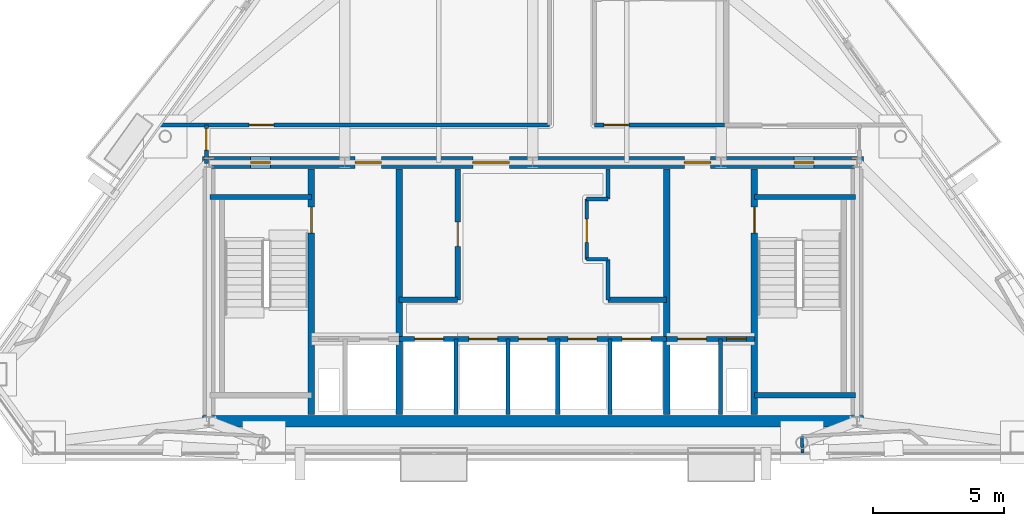
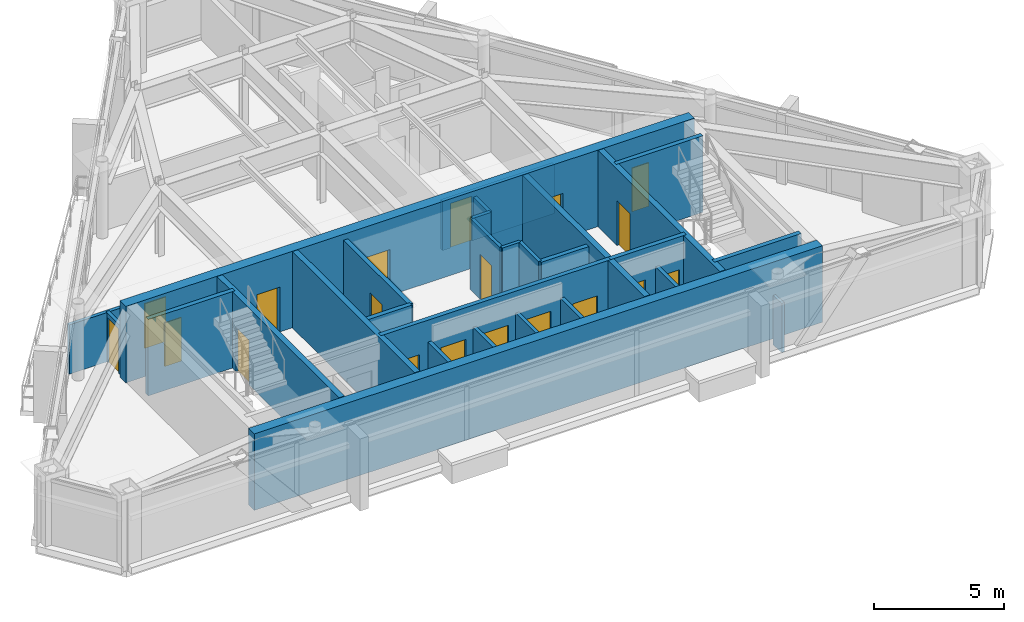
# One storey, part 8 of 11: 28 walls, 19 doors, 19 openings.
"""IFC4 building model written with IfcOpenShell, lengths in metres."""

from ifc_helpers import new_model, si_unit, direction, frame, frame_2d, origin, place, context, subcontext, project, spatial, rectangle, extrude, material, layer, layer_set, type_object, element, fill, save


model = new_model("IFC4")

# Units and contexts
model_context = context("Model", 3, precision=1e-05, world=origin(), true_north=direction((0.0, 1.0)))
body_context = subcontext(model_context, "Body", "Model", "MODEL_VIEW")
ifc_project = project(units=[si_unit("LENGTHUNIT", "METRE"), si_unit("AREAUNIT", "SQUARE_METRE"), si_unit("VOLUMEUNIT", "CUBIC_METRE"), si_unit("PLANEANGLEUNIT", "RADIAN"), si_unit("MASSUNIT", "GRAM", prefix="KILO")], contexts=[model_context])

# Site, building, storey
site_placement = place(None, origin())
site = spatial("IfcSite", under=ifc_project, at=site_placement, CompositionType="ELEMENT")
building_placement = place(site_placement, origin())
building = spatial("IfcBuilding", under=site, at=building_placement, Name="Talgorran Terracotta Tower", CompositionType="ELEMENT")
storey_placement = place(building_placement, frame((0.0, 0.0, 274.199951171875)))
storey = spatial("IfcBuildingStorey", under=building, at=storey_placement, Name="L72", CompositionType="ELEMENT", Elevation=274.199951171875)

# Walls
ifc_material_1 = material(Name="Concrete C50/60", Category="concrete")
ifc_layer_1 = layer(ifc_material_1, 0.199951171875, Name="WT_CORE_200")
ifc_layer_set_1 = layer_set([ifc_layer_1], Name="Concrete C50/60")
wall_type_1 = type_object("IfcWallType", Name="WT_CORE_200", PredefinedType="SOLIDWALL", material=ifc_layer_set_1)
for number, where, z_axis, x_axis, name in (
    (1, (-12.35009765625, -5.52001953125, 0.0), (0.0, 0.0, 1.0), (1.0, 0.0, 0.0), "WL-L72-CW-ST1-N"),
    (2, (8.47998046875, -5.52001953125, 0.0), (0.0, 0.0, 1.0), (1.0, 0.0, 0.0), "WL-L72-CW-ST2-N"),
    (3, (8.47998046875, -13.10009765625, 0.0), (0.0, 0.0, 1.0), (1.0, 0.0, 0.0), "WL-L72-CW-ST2-S"),
):
    element("IfcWall", number, at=place(storey_placement, frame(where, z_axis=z_axis, x_axis=x_axis)), inside=storey, type_object=wall_type_1, Name=name, PredefinedType="SOLIDWALL", context=body_context, shape_type="SweptSolid", body=[
        extrude(rectangle(XDim=3.8701171875, YDim=0.199951171875, at=frame_2d((1.93505859375, 0.0))), origin(), (0.0, 0.0, 1.0), 3.60009765625),
    ])

# Wall, openings, doors
wall_1_placement = place(storey_placement, frame((-5.1201171875, -10.949951171875, 0.0), z_axis=(0.0, 0.0, 1.0), x_axis=(1.0, 0.0, 0.0)))
wall_1 = element("IfcWall", 4, at=wall_1_placement, inside=storey, type_object=wall_type_1, Name="WL-L72-CW-H-SBC", PredefinedType="SOLIDWALL", context=body_context, shape_type="SweptSolid", body=[
    extrude(rectangle(XDim=10.240234375, YDim=0.199951171875, at=frame_2d((5.1201171875, 0.0))), origin(), (0.0, 0.0, 1.0), 3.60009765625),
])
opening_1_placement = place(wall_1_placement, frame((0.60009765625, 0.0, 0.0)))
opening_1 = element("IfcOpeningElement", 5, at=opening_1_placement, cuts=wall_1, Name="Opening LD-OB1", PredefinedType="OPENING", context=body_context, shape_type="SweptSolid", body=[
    extrude(rectangle(XDim=1.10609765625, YDim=2.10409765625, at=frame_2d((0.550048828125, 1.052001953125))), frame((0.0, 0.10986328125, 0.0), z_axis=(0.0, -1.0, 0.0), x_axis=(1.0, 0.0, 0.0)), (0.0, 0.0, 1.0), 0.219970703125),
])
opening_2_placement = place(wall_1_placement, frame((2.669921875, 0.0, 0.0)))
opening_2 = element("IfcOpeningElement", 6, at=opening_2_placement, cuts=wall_1, Name="Opening LD-PLH1", PredefinedType="OPENING", context=body_context, shape_type="SweptSolid", body=[
    extrude(rectangle(XDim=1.10609765625, YDim=2.10409765625, at=frame_2d((0.550048828125, 1.052001953125))), frame((0.0, 0.10986328125, 0.0), z_axis=(0.0, -1.0, 0.0), x_axis=(1.0, 0.0, 0.0)), (0.0, 0.0, 1.0), 0.219970703125),
])
opening_3_placement = place(wall_1_placement, frame((4.570068359375, 0.0, 0.0)))
opening_3 = element("IfcOpeningElement", 7, at=opening_3_placement, cuts=wall_1, Name="Opening LD-PLH2", PredefinedType="OPENING", context=body_context, shape_type="SweptSolid", body=[
    extrude(rectangle(XDim=1.10609765625, YDim=2.10409765625, at=frame_2d((0.550048828125, 1.052001953125))), frame((0.0, 0.10986328125, 0.0), z_axis=(0.0, -1.0, 0.0), x_axis=(1.0, 0.0, 0.0)), (0.0, 0.0, 1.0), 0.219970703125),
])
opening_4_placement = place(wall_1_placement, frame((6.469970703125, 0.0, 0.0)))
opening_4 = element("IfcOpeningElement", 8, at=opening_4_placement, cuts=wall_1, Name="Opening LD-PLH3", PredefinedType="OPENING", context=body_context, shape_type="SweptSolid", body=[
    extrude(rectangle(XDim=1.10609765625, YDim=2.10409765625, at=frame_2d((0.550048828125, 1.052001953125))), frame((0.0, 0.10986328125, 0.0), z_axis=(0.0, -1.0, 0.0), x_axis=(1.0, 0.0, 0.0)), (0.0, 0.0, 1.0), 0.219970703125),
])
opening_5_placement = place(wall_1_placement, frame((8.5400390625, 0.0, 0.0)))
opening_5 = element("IfcOpeningElement", 9, at=opening_5_placement, cuts=wall_1, Name="Opening LD-SVL1", PredefinedType="OPENING", context=body_context, shape_type="SweptSolid", body=[
    extrude(rectangle(XDim=1.10609765625, YDim=2.10409765625, at=frame_2d((0.550048828125, 1.052001953125))), frame((0.0, 0.10986328125, 0.0), z_axis=(0.0, -1.0, 0.0), x_axis=(1.0, 0.0, 0.0)), (0.0, 0.0, 1.0), 0.219970703125),
])
ifc_material_2 = material(Name="Brushed Stainless Steel Grade 304", Category="steel")
door_type_1 = type_object("IfcDoorType", Name="DT_LIFT_LD1100", OperationType="DOUBLE_DOOR_SLIDING", PredefinedType="DOOR", material=ifc_material_2)
door_1_placement = place(opening_1_placement, origin())
door_1 = element("IfcDoor", 10, at=door_1_placement, inside=storey, type_object=door_type_1, Name="L72 Lift Landing Door LD-OB1", OperationType="DOUBLE_DOOR_SLIDING", OverallHeight=2.10009765625, OverallWidth=1.10009765625, PredefinedType="DOOR", context=body_context, shape_type="SweptSolid", body=[
    extrude(rectangle(XDim=1.10009765625, YDim=2.10009765625, at=frame_2d((0.550048828125, 1.050048828125))), frame((0.0, 0.02490234375, 0.0), z_axis=(0.0, -1.0, 0.0), x_axis=(1.0, 0.0, 0.0)), (0.0, 0.0, 1.0), 0.050048828125),
])
fill(opening_1, door_1)
door_2_placement = place(opening_2_placement, origin())
door_2 = element("IfcDoor", 11, at=door_2_placement, inside=storey, type_object=door_type_1, Name="L72 Lift Landing Door LD-PLH1", OperationType="DOUBLE_DOOR_SLIDING", OverallHeight=2.10009765625, OverallWidth=1.10009765625, PredefinedType="DOOR", context=body_context, shape_type="SweptSolid", body=[
    extrude(rectangle(XDim=1.10009765625, YDim=2.10009765625, at=frame_2d((0.550048828125, 1.050048828125))), frame((0.0, 0.02490234375, 0.0), z_axis=(0.0, -1.0, 0.0), x_axis=(1.0, 0.0, 0.0)), (0.0, 0.0, 1.0), 0.050048828125),
])
fill(opening_2, door_2)
door_3_placement = place(opening_3_placement, origin())
door_3 = element("IfcDoor", 12, at=door_3_placement, inside=storey, type_object=door_type_1, Name="L72 Lift Landing Door LD-PLH2", OperationType="DOUBLE_DOOR_SLIDING", OverallHeight=2.10009765625, OverallWidth=1.10009765625, PredefinedType="DOOR", context=body_context, shape_type="SweptSolid", body=[
    extrude(rectangle(XDim=1.10009765625, YDim=2.10009765625, at=frame_2d((0.550048828125, 1.050048828125))), frame((0.0, 0.02490234375, 0.0), z_axis=(0.0, -1.0, 0.0), x_axis=(1.0, 0.0, 0.0)), (0.0, 0.0, 1.0), 0.050048828125),
])
fill(opening_3, door_3)
door_4_placement = place(opening_4_placement, origin())
door_4 = element("IfcDoor", 13, at=door_4_placement, inside=storey, type_object=door_type_1, Name="L72 Lift Landing Door LD-PLH3", OperationType="DOUBLE_DOOR_SLIDING", OverallHeight=2.10009765625, OverallWidth=1.10009765625, PredefinedType="DOOR", context=body_context, shape_type="SweptSolid", body=[
    extrude(rectangle(XDim=1.10009765625, YDim=2.10009765625, at=frame_2d((0.550048828125, 1.050048828125))), frame((0.0, 0.02490234375, 0.0), z_axis=(0.0, -1.0, 0.0), x_axis=(1.0, 0.0, 0.0)), (0.0, 0.0, 1.0), 0.050048828125),
])
fill(opening_4, door_4)
door_5_placement = place(opening_5_placement, origin())
door_5 = element("IfcDoor", 14, at=door_5_placement, inside=storey, type_object=door_type_1, Name="L72 Lift Landing Door LD-SVL1", OperationType="DOUBLE_DOOR_SLIDING", OverallHeight=2.10009765625, OverallWidth=1.10009765625, PredefinedType="DOOR", context=body_context, shape_type="SweptSolid", body=[
    extrude(rectangle(XDim=1.10009765625, YDim=2.10009765625, at=frame_2d((0.550048828125, 1.050048828125))), frame((0.0, 0.02490234375, 0.0), z_axis=(0.0, -1.0, 0.0), x_axis=(1.0, 0.0, 0.0)), (0.0, 0.0, 1.0), 0.050048828125),
])
fill(opening_5, door_5)

wall_2_placement = place(storey_placement, frame((5.1201171875, -10.949951171875, 0.0), z_axis=(0.0, 0.0, 1.0), x_axis=(1.0, 0.0, 0.0)))
wall_2 = element("IfcWall", 15, at=wall_2_placement, inside=storey, type_object=wall_type_1, Name="WL-L72-CW-H-SBE", PredefinedType="SOLIDWALL", context=body_context, shape_type="SweptSolid", body=[
    extrude(rectangle(XDim=3.35986328125, YDim=0.199951171875, at=frame_2d((1.679931640625, 0.0))), origin(), (0.0, 0.0, 1.0), 3.60009765625),
])
opening_6_placement = place(wall_2_placement, frame((0.419921875, 0.0, 0.0)))
opening_6 = element("IfcOpeningElement", 16, at=opening_6_placement, cuts=wall_2, Name="Opening LD-FFL2", PredefinedType="OPENING", context=body_context, shape_type="SweptSolid", body=[
    extrude(rectangle(XDim=1.10609765625, YDim=2.10409765625, at=frame_2d((0.550048828125, 1.052001953125))), frame((0.0, 0.10986328125, 0.0), z_axis=(0.0, -1.0, 0.0), x_axis=(1.0, 0.0, 0.0)), (0.0, 0.0, 1.0), 0.219970703125),
])
opening_7_placement = place(wall_2_placement, frame((2.300048828125, 0.0, 0.0)))
opening_7 = element("IfcOpeningElement", 17, at=opening_7_placement, cuts=wall_2, Name="Opening DR-RSE", PredefinedType="OPENING", context=body_context, shape_type="SweptSolid", body=[
    extrude(rectangle(XDim=0.756, YDim=2.054048828125, at=frame_2d((0.375, 1.027099609375))), frame((0.0, 0.10986328125, 0.0), z_axis=(0.0, -1.0, 0.0), x_axis=(1.0, 0.0, 0.0)), (0.0, 0.0, 1.0), 0.219970703125),
])
door_6_placement = place(opening_6_placement, origin())
door_6 = element("IfcDoor", 18, at=door_6_placement, inside=storey, type_object=door_type_1, Name="L72 Lift Landing Door LD-FFL2", OperationType="DOUBLE_DOOR_SLIDING", OverallHeight=2.10009765625, OverallWidth=1.10009765625, PredefinedType="DOOR", context=body_context, shape_type="SweptSolid", body=[
    extrude(rectangle(XDim=1.10009765625, YDim=2.10009765625, at=frame_2d((0.550048828125, 1.050048828125))), frame((0.0, 0.02490234375, 0.0), z_axis=(0.0, -1.0, 0.0), x_axis=(1.0, 0.0, 0.0)), (0.0, 0.0, 1.0), 0.050048828125),
])
fill(opening_6, door_6)
ifc_material_3 = material(Name="Fire-Rated Pressed Steel", Category="steel")
door_type_2 = type_object("IfcDoorType", Name="DT_RISER_750", OperationType="NOTDEFINED", PredefinedType="DOOR", material=ifc_material_3)
door_7_placement = place(opening_7_placement, origin())
door_7 = element("IfcDoor", 19, at=door_7_placement, inside=storey, type_object=door_type_2, Name="DR-RSE", OperationType="SINGLE_SWING_RIGHT", OverallHeight=2.050048828125, OverallWidth=0.75, PredefinedType="DOOR", context=body_context, shape_type="SweptSolid", body=[
    extrude(rectangle(XDim=0.75, YDim=2.050048828125, at=frame_2d((0.375, 1.02490234375))), frame((0.0, 0.02490234375, 0.0), z_axis=(0.0, -1.0, 0.0), x_axis=(1.0, 0.0, 0.0)), (0.0, 0.0, 1.0), 0.050048828125),
])
fill(opening_7, door_7)

# Wall, opening, door
wall_3_placement = place(storey_placement, frame((-2.8798828125, -9.449951171875, 0.0), z_axis=(0.0, 0.0, 1.0), x_axis=(0.0, 1.0, 0.0)))
wall_3 = element("IfcWall", 20, at=wall_3_placement, inside=storey, type_object=wall_type_1, Name="WL-L72-CW-V-W3", PredefinedType="SOLIDWALL", context=body_context, shape_type="SweptSolid", body=[
    extrude(rectangle(XDim=5.0, YDim=0.199951171875, at=frame_2d((2.5, 0.0))), origin(), (0.0, 0.0, 1.0), 3.344970703125),
])
opening_8_placement = place(wall_3_placement, frame((2.050048828125, 0.0, 0.0)))
opening_8 = element("IfcOpeningElement", 21, at=opening_8_placement, cuts=wall_3, Name="Opening DR-FRPLL-A", PredefinedType="OPENING", context=body_context, shape_type="SweptSolid", body=[
    extrude(rectangle(XDim=0.925921875, YDim=2.10409765625, at=frame_2d((0.4599609375, 1.052001953125))), frame((0.0, 0.10986328125, 0.0), z_axis=(0.0, -1.0, 0.0), x_axis=(1.0, 0.0, 0.0)), (0.0, 0.0, 1.0), 0.219970703125),
])
ifc_material_4 = material(Name="Solid-Core Painted Timber", Category="wood")
door_type_3 = type_object("IfcDoorType", Name="DT_INT_920", OperationType="NOTDEFINED", PredefinedType="DOOR", material=ifc_material_4)
door_8_placement = place(opening_8_placement, origin())
door_8 = element("IfcDoor", 22, at=door_8_placement, inside=storey, type_object=door_type_3, Name="DR-FRPLL-A", OperationType="SINGLE_SWING_LEFT", OverallHeight=2.10009765625, OverallWidth=0.919921875, PredefinedType="DOOR", context=body_context, shape_type="SweptSolid", body=[
    extrude(rectangle(XDim=0.919921875, YDim=2.10009765625, at=frame_2d((0.4599609375, 1.050048828125))), frame((0.0, 0.02490234375, 0.0), z_axis=(0.0, -1.0, 0.0), x_axis=(1.0, 0.0, 0.0)), (0.0, 0.0, 1.0), 0.050048828125),
])
fill(opening_8, door_8)

# Walls
for number, where, z_axis, x_axis, name in (
    (23, (-5.1201171875, -9.449951171875, 0.0), (0.0, 0.0, 1.0), (1.0, 0.0, 0.0), "WL-L72-CW-H-W4"),
    (24, (2.8798828125, -9.449951171875, 0.0), (0.0, 0.0, 1.0), (1.0, 0.0, 0.0), "WL-L72-CW-H-E4"),
):
    element("IfcWall", number, at=place(storey_placement, frame(where, z_axis=z_axis, x_axis=x_axis)), inside=storey, type_object=wall_type_1, Name=name, PredefinedType="SOLIDWALL", context=body_context, shape_type="SweptSolid", body=[
        extrude(rectangle(XDim=2.240234375, YDim=0.199951171875, at=frame_2d((1.1201171875, 0.0))), origin(), (0.0, 0.0, 1.0), 3.344970703125),
    ])

# Wall, opening, door
ifc_layer_2 = layer(ifc_material_1, 0.25, Name="WT_CORE_250")
ifc_layer_set_2 = layer_set([ifc_layer_2], Name="Concrete C50/60")
wall_type_2 = type_object("IfcWallType", Name="WT_CORE_250", PredefinedType="SHEAR", material=ifc_layer_set_2)
wall_4_placement = place(storey_placement, frame((-8.47998046875, -13.85009765625, 0.0), z_axis=(0.0, 0.0, 1.0), x_axis=(0.0, 1.0, 0.0)))
wall_4 = element("IfcWall", 25, at=wall_4_placement, inside=storey, type_object=wall_type_2, Name="WL-L72-CW-V-W1", PredefinedType="SHEAR", context=body_context, shape_type="SweptSolid", body=[
    extrude(rectangle(XDim=9.400146484375, YDim=0.25, at=frame_2d((4.7001953125, 0.0))), origin(), (0.0, 0.0, 1.0), 3.60009765625),
])
opening_9_placement = place(wall_4_placement, frame((6.949951171875, 0.0, 0.0)))
opening_9 = element("IfcOpeningElement", 26, at=opening_9_placement, cuts=wall_4, Name="Opening DR-ST01", PredefinedType="OPENING", context=body_context, shape_type="SweptSolid", body=[
    extrude(rectangle(XDim=1.006, YDim=2.10409765625, at=frame_2d((0.5, 1.052001953125))), frame((0.0, 0.135009765625, 0.0), z_axis=(0.0, -1.0, 0.0), x_axis=(1.0, 0.0, 0.0)), (0.0, 0.0, 1.0), 0.27001953125),
])
door_type_4 = type_object("IfcDoorType", Name="DT_FIRE_1000", OperationType="NOTDEFINED", PredefinedType="DOOR", material=ifc_material_3)
door_9_placement = place(opening_9_placement, origin())
door_9 = element("IfcDoor", 27, at=door_9_placement, inside=storey, type_object=door_type_4, Name="DR-ST01", OperationType="SINGLE_SWING_LEFT", OverallHeight=2.10009765625, OverallWidth=1.0, PredefinedType="DOOR", context=body_context, shape_type="SweptSolid", body=[
    extrude(rectangle(XDim=1.0, YDim=2.10009765625, at=frame_2d((0.5, 1.050048828125))), frame((0.0, 0.02490234375, 0.0), z_axis=(0.0, -1.0, 0.0), x_axis=(1.0, 0.0, 0.0)), (0.0, 0.0, 1.0), 0.050048828125),
])
fill(opening_9, door_9)

wall_5_placement = place(storey_placement, frame((8.47998046875, -13.85009765625, 0.0), z_axis=(0.0, 0.0, 1.0), x_axis=(0.0, 1.0, 0.0)))
wall_5 = element("IfcWall", 28, at=wall_5_placement, inside=storey, type_object=wall_type_2, Name="WL-L72-CW-V-E1", PredefinedType="SHEAR", context=body_context, shape_type="SweptSolid", body=[
    extrude(rectangle(XDim=9.400146484375, YDim=0.25, at=frame_2d((4.7001953125, 0.0))), origin(), (0.0, 0.0, 1.0), 3.60009765625),
])
opening_10_placement = place(wall_5_placement, frame((6.949951171875, 0.0, 0.0)))
opening_10 = element("IfcOpeningElement", 29, at=opening_10_placement, cuts=wall_5, Name="Opening DR-ST02", PredefinedType="OPENING", context=body_context, shape_type="SweptSolid", body=[
    extrude(rectangle(XDim=1.006, YDim=2.10409765625, at=frame_2d((0.5, 1.052001953125))), frame((0.0, 0.135009765625, 0.0), z_axis=(0.0, -1.0, 0.0), x_axis=(1.0, 0.0, 0.0)), (0.0, 0.0, 1.0), 0.27001953125),
])
door_10_placement = place(opening_10_placement, origin())
door_10 = element("IfcDoor", 30, at=door_10_placement, inside=storey, type_object=door_type_4, Name="DR-ST02", OperationType="SINGLE_SWING_RIGHT", OverallHeight=2.10009765625, OverallWidth=1.0, PredefinedType="DOOR", context=body_context, shape_type="SweptSolid", body=[
    extrude(rectangle(XDim=1.0, YDim=2.10009765625, at=frame_2d((0.5, 1.050048828125))), frame((0.0, 0.02490234375, 0.0), z_axis=(0.0, -1.0, 0.0), x_axis=(1.0, 0.0, 0.0)), (0.0, 0.0, 1.0), 0.050048828125),
])
fill(opening_10, door_10)

# Walls
for number, where, z_axis, x_axis, name in (
    (31, (-5.1201171875, -13.85009765625, 0.0), (0.0, 0.0, 1.0), (0.0, 1.0, 0.0), "WL-L72-CW-V-W2"),
    (32, (5.1201171875, -13.85009765625, 0.0), (0.0, 0.0, 1.0), (0.0, 1.0, 0.0), "WL-L72-CW-V-E2"),
):
    element("IfcWall", number, at=place(storey_placement, frame(where, z_axis=z_axis, x_axis=x_axis)), inside=storey, type_object=wall_type_2, Name=name, PredefinedType="SHEAR", context=body_context, shape_type="SweptSolid", body=[
        extrude(rectangle(XDim=9.400146484375, YDim=0.25, at=frame_2d((4.7001953125, 0.0))), origin(), (0.0, 0.0, 1.0), 3.60009765625),
    ])
ifc_material_5 = material(Name="Concrete C65/80", Category="concrete")
ifc_layer_3 = layer(ifc_material_5, 0.449951171875, Name="WT_CORE_EXT")
ifc_layer_set_3 = layer_set([ifc_layer_3], Name="Concrete C65/80")
wall_type_3 = type_object("IfcWallType", Name="WT_CORE_EXT", PredefinedType="SHEAR", material=ifc_layer_set_3)
wall_6_placement = place(storey_placement, frame((-12.64990234375, -14.10009765625, 0.0), z_axis=(0.0, 0.0, 1.0), x_axis=(1.0, 0.0, 0.0)))
element("IfcWall", 33, at=wall_6_placement, inside=storey, type_object=wall_type_3, Name="WL-L72-CW-OUT-S", PredefinedType="SHEAR", context=body_context, shape_type="SweptSolid", body=[
    extrude(rectangle(XDim=25.2998046875, YDim=0.449951171875, at=frame_2d((12.64990234375, 0.0))), origin(), (0.0, 0.0, 1.0), 3.60009765625),
])

# Wall, openings, doors
wall_7_placement = place(storey_placement, frame((-12.64990234375, -4.199951171875, 0.0), z_axis=(0.0, 0.0, 1.0), x_axis=(1.0, 0.0, 0.0)))
wall_7 = element("IfcWall", 34, at=wall_7_placement, inside=storey, type_object=wall_type_3, Name="WL-L72-CW-OUT-N", PredefinedType="SHEAR", context=body_context, shape_type="SweptSolid", body=[
    extrude(rectangle(XDim=25.2998046875, YDim=0.449951171875, at=frame_2d((12.64990234375, 0.0))), origin(), (0.0, 0.0, 1.0), 3.60009765625),
])
opening_11_placement = place(wall_7_placement, frame((1.85009765625, 0.0, 0.0)))
opening_11 = element("IfcOpeningElement", 35, at=opening_11_placement, cuts=wall_7, Name="Opening DR-CSN1", PredefinedType="OPENING", context=body_context, shape_type="SweptSolid", body=[
    extrude(rectangle(XDim=0.756, YDim=2.054048828125, at=frame_2d((0.375, 1.027099609375))), frame((0.0, 0.23486328125, 0.0), z_axis=(0.0, -1.0, 0.0), x_axis=(1.0, 0.0, 0.0)), (0.0, 0.0, 1.0), 0.469970703125),
])
opening_12_placement = place(wall_7_placement, frame((22.64990234375, 0.0, 0.0)))
opening_12 = element("IfcOpeningElement", 36, at=opening_12_placement, cuts=wall_7, Name="Opening DR-CSN2", PredefinedType="OPENING", context=body_context, shape_type="SweptSolid", body=[
    extrude(rectangle(XDim=0.756, YDim=2.054048828125, at=frame_2d((0.375, 1.027099609375))), frame((0.0, 0.23486328125, 0.0), z_axis=(0.0, -1.0, 0.0), x_axis=(1.0, 0.0, 0.0)), (0.0, 0.0, 1.0), 0.469970703125),
])
opening_13_placement = place(wall_7_placement, frame((5.85009765625, 0.0, 0.0)))
opening_13 = element("IfcOpeningElement", 37, at=opening_13_placement, cuts=wall_7, Name="Opening DR-FFLW-N", PredefinedType="OPENING", context=body_context, shape_type="SweptSolid", body=[
    extrude(rectangle(XDim=1.006, YDim=2.10409765625, at=frame_2d((0.5, 1.052001953125))), frame((0.0, 0.23486328125, 0.0), z_axis=(0.0, -1.0, 0.0), x_axis=(1.0, 0.0, 0.0)), (0.0, 0.0, 1.0), 0.469970703125),
])
opening_14_placement = place(wall_7_placement, frame((10.35009765625, 0.0, 0.0)))
opening_14 = element("IfcOpeningElement", 38, at=opening_14_placement, cuts=wall_7, Name="Opening DR-PLL-N", PredefinedType="OPENING", context=body_context, shape_type="SweptSolid", body=[
    extrude(rectangle(XDim=1.40590234375, YDim=2.15390234375, at=frame_2d((0.699951171875, 1.076904296875))), frame((0.0, 0.23486328125, 0.0), z_axis=(0.0, -1.0, 0.0), x_axis=(1.0, 0.0, 0.0)), (0.0, 0.0, 1.0), 0.469970703125),
])
opening_15_placement = place(wall_7_placement, frame((18.449951171875, 0.0, 0.0)))
opening_15 = element("IfcOpeningElement", 39, at=opening_15_placement, cuts=wall_7, Name="Opening DR-FFLE-N", PredefinedType="OPENING", context=body_context, shape_type="SweptSolid", body=[
    extrude(rectangle(XDim=1.006, YDim=2.10409765625, at=frame_2d((0.5, 1.052001953125))), frame((0.0, 0.23486328125, 0.0), z_axis=(0.0, -1.0, 0.0), x_axis=(1.0, 0.0, 0.0)), (0.0, 0.0, 1.0), 0.469970703125),
])
ifc_material_6 = material(Name="Acoustic Glazed Timber", Category="wood")
door_type_5 = type_object("IfcDoorType", Name="DT_DOUBLE_1400", OperationType="DOUBLE_DOOR_SINGLE_SWING", PredefinedType="DOOR", material=ifc_material_6)
door_11_placement = place(opening_14_placement, origin())
door_11 = element("IfcDoor", 40, at=door_11_placement, inside=storey, type_object=door_type_5, Name="DR-PLL-N", OperationType="DOUBLE_DOOR_SINGLE_SWING", OverallHeight=2.14990234375, OverallWidth=1.39990234375, PredefinedType="DOOR", context=body_context, shape_type="SweptSolid", body=[
    extrude(rectangle(XDim=1.39990234375, YDim=2.14990234375, at=frame_2d((0.699951171875, 1.074951171875))), frame((0.0, 0.02490234375, 0.0), z_axis=(0.0, -1.0, 0.0), x_axis=(1.0, 0.0, 0.0)), (0.0, 0.0, 1.0), 0.050048828125),
])
fill(opening_14, door_11)
door_12_placement = place(opening_13_placement, origin())
door_12 = element("IfcDoor", 41, at=door_12_placement, inside=storey, type_object=door_type_4, Name="DR-FFLW-N", OperationType="SINGLE_SWING_LEFT", OverallHeight=2.10009765625, OverallWidth=1.0, PredefinedType="DOOR", context=body_context, shape_type="SweptSolid", body=[
    extrude(rectangle(XDim=1.0, YDim=2.10009765625, at=frame_2d((0.5, 1.050048828125))), frame((0.0, 0.02490234375, 0.0), z_axis=(0.0, -1.0, 0.0), x_axis=(1.0, 0.0, 0.0)), (0.0, 0.0, 1.0), 0.050048828125),
])
fill(opening_13, door_12)
door_13_placement = place(opening_15_placement, origin())
door_13 = element("IfcDoor", 42, at=door_13_placement, inside=storey, type_object=door_type_4, Name="DR-FFLE-N", OperationType="SINGLE_SWING_RIGHT", OverallHeight=2.10009765625, OverallWidth=1.0, PredefinedType="DOOR", context=body_context, shape_type="SweptSolid", body=[
    extrude(rectangle(XDim=1.0, YDim=2.10009765625, at=frame_2d((0.5, 1.050048828125))), frame((0.0, 0.02490234375, 0.0), z_axis=(0.0, -1.0, 0.0), x_axis=(1.0, 0.0, 0.0)), (0.0, 0.0, 1.0), 0.050048828125),
])
fill(opening_15, door_13)
door_14_placement = place(opening_11_placement, origin())
door_14 = element("IfcDoor", 43, at=door_14_placement, inside=storey, type_object=door_type_2, Name="DR-CSN1", OperationType="SINGLE_SWING_LEFT", OverallHeight=2.050048828125, OverallWidth=0.75, PredefinedType="DOOR", context=body_context, shape_type="SweptSolid", body=[
    extrude(rectangle(XDim=0.75, YDim=2.050048828125, at=frame_2d((0.375, 1.02490234375))), frame((0.0, 0.02490234375, 0.0), z_axis=(0.0, -1.0, 0.0), x_axis=(1.0, 0.0, 0.0)), (0.0, 0.0, 1.0), 0.050048828125),
])
fill(opening_11, door_14)
door_15_placement = place(opening_12_placement, origin())
door_15 = element("IfcDoor", 44, at=door_15_placement, inside=storey, type_object=door_type_2, Name="DR-CSN2", OperationType="SINGLE_SWING_RIGHT", OverallHeight=2.050048828125, OverallWidth=0.75, PredefinedType="DOOR", context=body_context, shape_type="SweptSolid", body=[
    extrude(rectangle(XDim=0.75, YDim=2.050048828125, at=frame_2d((0.375, 1.02490234375))), frame((0.0, 0.02490234375, 0.0), z_axis=(0.0, -1.0, 0.0), x_axis=(1.0, 0.0, 0.0)), (0.0, 0.0, 1.0), 0.050048828125),
])
fill(opening_12, door_15)

# Walls
ifc_material_7 = material(Name="Fire-Rated Steel Stud Plasterboard", Category="steel")
ifc_layer_4 = layer(ifc_material_7, 0.14990234375, Name="WT_FIRE_150")
ifc_layer_set_4 = layer_set([ifc_layer_4], Name="Fire-Rated Steel Stud Plasterboard")
wall_type_4 = type_object("IfcWallType", Name="WT_FIRE_150", PredefinedType="PARTITIONING", material=ifc_layer_set_4)
wall_8_placement = place(storey_placement, frame((2.8798828125, -9.449951171875, 0.0), z_axis=(0.0, 0.0, 1.0), x_axis=(0.0, 1.0, 0.0)))
element("IfcWall", 45, at=wall_8_placement, inside=storey, type_object=wall_type_4, Name="WL-L72-CW-V-E3A", PredefinedType="PARTITIONING", context=body_context, shape_type="SweptSolid", body=[
    extrude(rectangle(XDim=1.550048828125, YDim=0.14990234375, at=frame_2d((0.77490234375, 0.0))), origin(), (0.0, 0.0, 1.0), 3.344970703125),
])
wall_9_placement = place(storey_placement, frame((2.06005859375, -7.89990234375, 0.0), z_axis=(0.0, 0.0, 1.0), x_axis=(1.0, 0.0, 0.0)))
element("IfcWall", 46, at=wall_9_placement, inside=storey, type_object=wall_type_4, Name="WL-L72-CW-H-E3B", PredefinedType="PARTITIONING", context=body_context, shape_type="SweptSolid", body=[
    extrude(rectangle(XDim=0.81982421875, YDim=0.14990234375, at=frame_2d((0.409912109375, 0.0))), origin(), (0.0, 0.0, 1.0), 3.344970703125),
])

# Wall, opening, door
wall_10_placement = place(storey_placement, frame((2.06005859375, -7.89990234375, 0.0), z_axis=(0.0, 0.0, 1.0), x_axis=(0.0, 1.0, 0.0)))
wall_10 = element("IfcWall", 47, at=wall_10_placement, inside=storey, type_object=wall_type_4, Name="WL-L72-CW-V-E3C", PredefinedType="PARTITIONING", context=body_context, shape_type="SweptSolid", body=[
    extrude(rectangle(XDim=2.2998046875, YDim=0.14990234375, at=frame_2d((1.14990234375, 0.0))), origin(), (0.0, 0.0, 1.0), 3.344970703125),
])
opening_16_placement = place(wall_10_placement, frame((0.64990234375, 0.0, 0.0)))
opening_16 = element("IfcOpeningElement", 48, at=opening_16_placement, cuts=wall_10, Name="Opening DR-FRPLM-B", PredefinedType="OPENING", context=body_context, shape_type="SweptSolid", body=[
    extrude(rectangle(XDim=0.8858828125, YDim=2.10409765625, at=frame_2d((0.43994140625, 1.052001953125))), frame((0.0, 0.0849609375, 0.0), z_axis=(0.0, -1.0, 0.0), x_axis=(1.0, 0.0, 0.0)), (0.0, 0.0, 1.0), 0.169921875),
])
door_type_6 = type_object("IfcDoorType", Name="DT_INT_880", OperationType="NOTDEFINED", PredefinedType="DOOR", material=ifc_material_4)
door_16_placement = place(opening_16_placement, origin())
door_16 = element("IfcDoor", 49, at=door_16_placement, inside=storey, type_object=door_type_6, Name="DR-FRPLM-B", OperationType="SINGLE_SWING_RIGHT", OverallHeight=2.10009765625, OverallWidth=0.8798828125, PredefinedType="DOOR", context=body_context, shape_type="SweptSolid", body=[
    extrude(rectangle(XDim=0.8798828125, YDim=2.10009765625, at=frame_2d((0.43994140625, 1.050048828125))), frame((0.0, 0.02490234375, 0.0), z_axis=(0.0, -1.0, 0.0), x_axis=(1.0, 0.0, 0.0)), (0.0, 0.0, 1.0), 0.050048828125),
])
fill(opening_16, door_16)

# Walls
wall_11_placement = place(storey_placement, frame((2.06005859375, -5.60009765625, 0.0), z_axis=(0.0, 0.0, 1.0), x_axis=(1.0, 0.0, 0.0)))
element("IfcWall", 50, at=wall_11_placement, inside=storey, type_object=wall_type_4, Name="WL-L72-CW-H-E3D", PredefinedType="PARTITIONING", context=body_context, shape_type="SweptSolid", body=[
    extrude(rectangle(XDim=0.81982421875, YDim=0.14990234375, at=frame_2d((0.409912109375, 0.0))), origin(), (0.0, 0.0, 1.0), 3.344970703125),
])
wall_12_placement = place(storey_placement, frame((2.8798828125, -5.60009765625, 0.0), z_axis=(0.0, 0.0, 1.0), x_axis=(0.0, 1.0, 0.0)))
element("IfcWall", 51, at=wall_12_placement, inside=storey, type_object=wall_type_4, Name="WL-L72-CW-V-E3E", PredefinedType="PARTITIONING", context=body_context, shape_type="SweptSolid", body=[
    extrude(rectangle(XDim=1.150146484375, YDim=0.14990234375, at=frame_2d((0.5751953125, 0.0))), origin(), (0.0, 0.0, 1.0), 3.344970703125),
])

# Wall, opening, door
wall_13_placement = place(storey_placement, frame((-14.251220703125, -2.760009765625, 0.0), z_axis=(0.0, 0.0, 1.0), x_axis=(1.0, 0.0, 0.0)))
wall_13 = element("IfcWall", 52, at=wall_13_placement, inside=storey, type_object=wall_type_4, Name="WL-L72-W-L72-R11", PredefinedType="PARTITIONING", context=body_context, shape_type="SweptSolid", body=[
    extrude(rectangle(XDim=14.89111328125, YDim=0.14990234375, at=frame_2d((7.445556640625, 0.0))), origin(), (0.0, 0.0, 1.0), 2.320068359375),
])
opening_17_placement = place(wall_13_placement, frame((3.389892578125, 0.0, 0.0)))
opening_17 = element("IfcOpeningElement", 53, at=opening_17_placement, cuts=wall_13, Name="Opening DR-L72-R09", PredefinedType="OPENING", context=body_context, shape_type="SweptSolid", body=[
    extrude(rectangle(XDim=0.955951171875, YDim=2.10409765625, at=frame_2d((0.47509765625, 1.052001953125))), frame((0.0, 0.0849609375, 0.0), z_axis=(0.0, -1.0, 0.0), x_axis=(1.0, 0.0, 0.0)), (0.0, 0.0, 1.0), 0.169921875),
])
ifc_material_8 = material(Name="Fire-Rated Timber Core", Category="wood")
door_type_7 = type_object("IfcDoorType", Name="DT_FIRE_950", OperationType="NOTDEFINED", PredefinedType="DOOR", material=ifc_material_8)
door_17_placement = place(opening_17_placement, origin())
door_17 = element("IfcDoor", 54, at=door_17_placement, inside=storey, type_object=door_type_7, Name="DR-L72-R09", OperationType="SINGLE_SWING_LEFT", OverallHeight=2.10009765625, OverallWidth=0.949951171875, PredefinedType="DOOR", context=body_context, shape_type="SweptSolid", body=[
    extrude(rectangle(XDim=0.949951171875, YDim=2.10009765625, at=frame_2d((0.47509765625, 1.050048828125))), frame((0.0, 0.02490234375, 0.0), z_axis=(0.0, -1.0, 0.0), x_axis=(1.0, 0.0, 0.0)), (0.0, 0.0, 1.0), 0.050048828125),
])
fill(opening_17, door_17)

wall_14_placement = place(storey_placement, frame((2.360107421875, -2.760009765625, 0.0), z_axis=(0.0, 0.0, 1.0), x_axis=(1.0, 0.0, 0.0)))
wall_14 = element("IfcWall", 55, at=wall_14_placement, inside=storey, type_object=wall_type_4, Name="WL-L72-W-L72-R06", PredefinedType="PARTITIONING", context=body_context, shape_type="SweptSolid", body=[
    extrude(rectangle(XDim=4.977783203125, YDim=0.14990234375, at=frame_2d((2.48876953125, 0.0))), origin(), (0.0, 0.0, 1.0), 2.320068359375),
])
opening_18_placement = place(wall_14_placement, frame((0.359375, 0.0, 0.0)))
opening_18 = element("IfcOpeningElement", 56, at=opening_18_placement, cuts=wall_14, Name="Opening DR-L72-R04", PredefinedType="OPENING", context=body_context, shape_type="SweptSolid", body=[
    extrude(rectangle(XDim=0.955951171875, YDim=2.10409765625, at=frame_2d((0.47509765625, 1.052001953125))), frame((0.0, 0.0849609375, 0.0), z_axis=(0.0, -1.0, 0.0), x_axis=(1.0, 0.0, 0.0)), (0.0, 0.0, 1.0), 0.169921875),
])
door_18_placement = place(opening_18_placement, origin())
door_18 = element("IfcDoor", 57, at=door_18_placement, inside=storey, type_object=door_type_7, Name="DR-L72-R04", OperationType="SINGLE_SWING_RIGHT", OverallHeight=2.10009765625, OverallWidth=0.949951171875, PredefinedType="DOOR", context=body_context, shape_type="SweptSolid", body=[
    extrude(rectangle(XDim=0.949951171875, YDim=2.10009765625, at=frame_2d((0.47509765625, 1.050048828125))), frame((0.0, 0.02490234375, 0.0), z_axis=(0.0, -1.0, 0.0), x_axis=(1.0, 0.0, 0.0)), (0.0, 0.0, 1.0), 0.050048828125),
])
fill(opening_18, door_18)

wall_15_placement = place(storey_placement, frame((-12.5, -4.239990234375, 0.0), z_axis=(0.0, 0.0, 1.0), x_axis=(0.0, 1.0, 0.0)))
wall_15 = element("IfcWall", 58, at=wall_15_placement, inside=storey, type_object=wall_type_4, Name="WL-L72-W-L72-R01", PredefinedType="PARTITIONING", context=body_context, shape_type="SweptSolid", body=[
    extrude(rectangle(XDim=1.47998046875, YDim=0.14990234375, at=frame_2d((0.739990234375, 0.0))), origin(), (0.0, 0.0, 1.0), 2.320068359375),
])
opening_19_placement = place(wall_15_placement, frame((0.521728515625, 0.0, 0.0)))
opening_19 = element("IfcOpeningElement", 59, at=opening_19_placement, cuts=wall_15, Name="Opening DR-L72-R01", PredefinedType="OPENING", context=body_context, shape_type="SweptSolid", body=[
    extrude(rectangle(XDim=0.826068359375, YDim=2.10409765625, at=frame_2d((0.41015625, 1.052001953125))), frame((0.0, 0.0849609375, 0.0), z_axis=(0.0, -1.0, 0.0), x_axis=(1.0, 0.0, 0.0)), (0.0, 0.0, 1.0), 0.169921875),
])
ifc_material_9 = material(Name="Moisture-Resistant Solid Timber", Category="wood")
door_type_8 = type_object("IfcDoorType", Name="DT_INT_820", OperationType="NOTDEFINED", PredefinedType="DOOR", material=ifc_material_9)
door_19_placement = place(opening_19_placement, origin())
door_19 = element("IfcDoor", 60, at=door_19_placement, inside=storey, type_object=door_type_8, Name="DR-L72-R01", OperationType="SINGLE_SWING_LEFT", OverallHeight=2.10009765625, OverallWidth=0.820068359375, PredefinedType="DOOR", context=body_context, shape_type="SweptSolid", body=[
    extrude(rectangle(XDim=0.820068359375, YDim=2.10009765625, at=frame_2d((0.41015625, 1.050048828125))), frame((0.0, 0.02490234375, 0.0), z_axis=(0.0, -1.0, 0.0), x_axis=(1.0, 0.0, 0.0)), (0.0, 0.0, 1.0), 0.050048828125),
])
fill(opening_19, door_19)

# Walls
ifc_material_10 = material(Name="Insulated Steel Stud Plasterboard", Category="steel")
ifc_layer_5 = layer(ifc_material_10, 0.1201171875, Name="WT_PART_120")
ifc_layer_set_5 = layer_set([ifc_layer_5], Name="Insulated Steel Stud Plasterboard")
wall_type_5 = type_object("IfcWallType", Name="WT_PART_120", PredefinedType="PARTITIONING", material=ifc_layer_set_5)
wall_16_placement = place(storey_placement, frame((10.322509765625, -15.308837890625, 0.0), z_axis=(0.0, 0.0, 1.0), x_axis=(-0.050930748048, 0.998702187293, 0.0)))
element("IfcWall", 61, at=wall_16_placement, inside=storey, type_object=wall_type_5, Name="WL-L72-BW-L72-06", PredefinedType="PARTITIONING", context=body_context, shape_type="SweptSolid", body=[
    extrude(rectangle(XDim=0.637451171875, YDim=0.1201171875, at=frame_2d((0.31884765625, 0.0))), origin(), (0.0, 0.0, 1.0), 2.320068359375),
])
ifc_material_11 = material(Name="Fire-Rated Shaftwall")
ifc_layer_6 = layer(ifc_material_11, 0.159912109375, Name="WT_PART_150")
ifc_layer_set_6 = layer_set([ifc_layer_6], Name="Fire-Rated Shaftwall")
wall_type_6 = type_object("IfcWallType", Name="WT_PART_150", PredefinedType="PARTITIONING", material=ifc_layer_set_6)
for number, where, z_axis, x_axis, name in (
    (62, (7.179931640625, -13.85009765625, 0.0), (0.0, 0.0, 1.0), (0.0, 1.0, 0.0), "WL-L72-CW-RSE"),
    (63, (-2.949951171875, -13.85009765625, 0.0), (0.0, 0.0, 1.0), (0.0, 1.0, 0.0), "WL-L72-CW-OB-E"),
    (64, (2.949951171875, -13.85009765625, 0.0), (0.0, 0.0, 1.0), (0.0, 1.0, 0.0), "WL-L72-CW-SV-W"),
    (65, (-0.949951171875, -13.85009765625, 0.0), (0.0, 0.0, 1.0), (0.0, 1.0, 0.0), "WL-L72-CW-PLH-D1"),
    (66, (0.949951171875, -13.85009765625, 0.0), (0.0, 0.0, 1.0), (0.0, 1.0, 0.0), "WL-L72-CW-PLH-D2"),
):
    element("IfcWall", number, at=place(storey_placement, frame(where, z_axis=z_axis, x_axis=x_axis)), inside=storey, type_object=wall_type_6, Name=name, PredefinedType="PARTITIONING", context=body_context, shape_type="SweptSolid", body=[
        extrude(rectangle(XDim=2.900146484375, YDim=0.159912109375, at=frame_2d((1.4501953125, 0.0))), origin(), (0.0, 0.0, 1.0), 2.570068359375),
    ])

save(model, "model.ifc")
